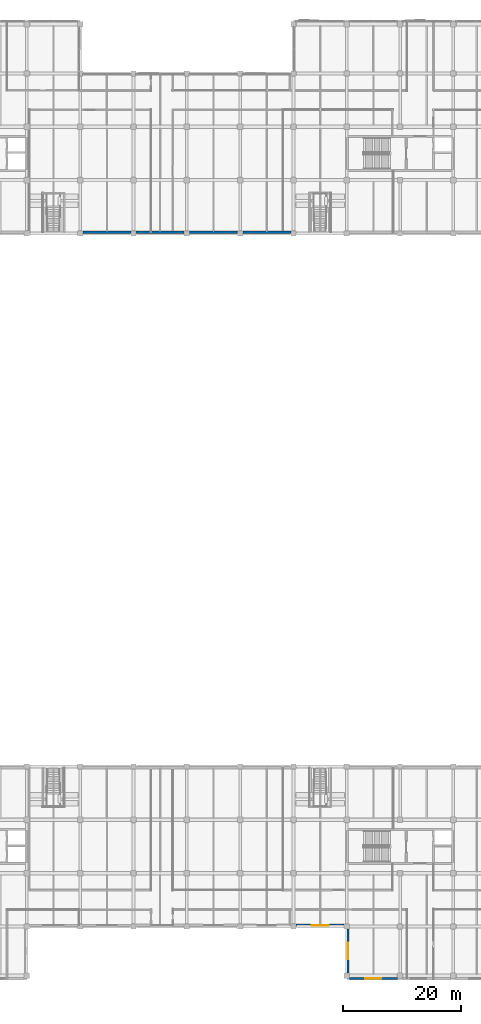
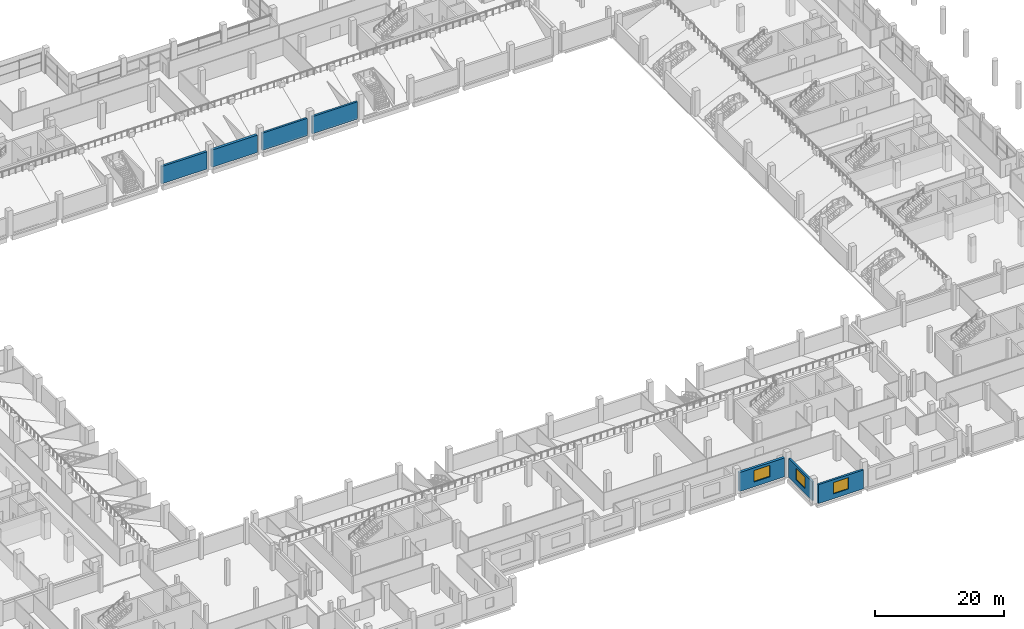
# One storey, part 59 of 100: 7 walls, 3 windows, 3 openings.
"""IFC4 building model written with IfcOpenShell, lengths in metres."""

from ifc_helpers import new_model, si_unit, direction, frame, frame_2d, origin, place, context, subcontext, project, spatial, rectangle, extrude, material, layer, layer_set, type_object, element, fill, save


model = new_model("IFC4")

# Units and contexts
model_context = context("Model", 3, precision=1e-05, world=origin(), true_north=direction((0.0, 1.0)))
body_context = subcontext(model_context, "Body", "Model", "MODEL_VIEW")
ifc_project = project(units=[si_unit("LENGTHUNIT", "METRE"), si_unit("AREAUNIT", "SQUARE_METRE"), si_unit("VOLUMEUNIT", "CUBIC_METRE"), si_unit("PLANEANGLEUNIT", "RADIAN"), si_unit("MASSUNIT", "GRAM", prefix="KILO"), si_unit("THERMODYNAMICTEMPERATUREUNIT", "KELVIN"), si_unit("POWERUNIT", "WATT")], contexts=[model_context])

# Site, building, storey
site_placement = place(None, origin())
site = spatial("IfcSite", under=ifc_project, at=site_placement, CompositionType="ELEMENT")
building_placement = place(site_placement, origin())
building = spatial("IfcBuilding", under=site, at=building_placement, Name="Sindhuravela Promenade Stadium", CompositionType="ELEMENT")
storey_placement = place(building_placement, frame((0.0, 0.0, 4.800048828125)))
storey = spatial("IfcBuildingStorey", under=building, at=storey_placement, Name="L01", CompositionType="ELEMENT", Elevation=4.800048828125)

# Wall
ifc_material_1 = material(Name="Terracotta clay brick masonry (15 MPa)", Category="masonry")
ifc_layer_1 = layer(ifc_material_1, 0.340087890625)
ifc_layer_set_1 = layer_set([ifc_layer_1], Name="Terracotta clay brick masonry (15 MPa)")
wall_type_1 = type_object("IfcWallType", Name="EX-WL-BRK340", PredefinedType="SOLIDWALL", material=ifc_layer_set_1)
wall_1_placement = place(storey_placement, frame((116.544921875, 126.199951171875, 0.0), z_axis=(0.0, 0.0, 1.0), x_axis=(-1.0, 0.0, 0.0)))
element("IfcWall", 1, at=wall_1_placement, inside=storey, type_object=wall_type_1, Name="Exterior masonry wall EW06 NORTH L01", PredefinedType="SOLIDWALL", context=body_context, shape_type="SweptSolid", body=[
    extrude(rectangle(XDim=8.08984375, YDim=0.340087890625, at=frame_2d((4.044921875, 0.0))), origin(), (0.0, 0.0, 1.0), 3.280029296875),
])

# Wall, opening, window
wall_2_placement = place(storey_placement, frame((135.199951171875, 1.155029296875, 0.0), z_axis=(0.0, 0.0, 1.0), x_axis=(0.0, 1.0, 0.0)))
wall_2 = element("IfcWall", 2, at=wall_2_placement, inside=storey, type_object=wall_type_1, Name="Exterior masonry wall EW06 SOUTH L01", PredefinedType="SOLIDWALL", context=body_context, shape_type="SweptSolid", body=[
    extrude(rectangle(XDim=7.389892578125, YDim=0.340087890625, at=frame_2d((3.69482421875, 0.0))), origin(), (0.0, 0.0, 1.0), 3.579833984375),
])
opening_1_placement = place(wall_2_placement, frame((2.294921875, 0.0, 0.89990234375)))
opening_1 = element("IfcOpeningElement", 3, at=opening_1_placement, cuts=wall_2, Name="Opening W18", PredefinedType="OPENING", context=body_context, shape_type="SweptSolid", body=[
    extrude(rectangle(XDim=2.800048828125, YDim=2.199951171875, at=frame_2d((1.39990234375, 1.10009765625))), frame((0.0, 0.179931640625, 0.0), z_axis=(0.0, -1.0, 0.0), x_axis=(1.0, 0.0, 0.0)), (0.0, 0.0, 1.0), 0.360107421875),
])
ifc_material_2 = material(Name="Tempered laminated low-E glass", Category="glass")
window_type_1 = type_object("IfcWindowType", Name="WN-FAC-2800x2200", PartitioningType="DOUBLE_PANEL_VERTICAL", PredefinedType="WINDOW", material=ifc_material_2)
window_1_placement = place(opening_1_placement, origin())
window_1 = element("IfcWindow", 4, at=window_1_placement, inside=storey, type_object=window_type_1, Name="Window W18 SOUTH L01", OverallHeight=2.199951171875, OverallWidth=2.800048828125, PartitioningType="DOUBLE_PANEL_VERTICAL", PredefinedType="WINDOW", context=body_context, shape_type="SweptSolid", body=[
    extrude(rectangle(XDim=2.800048828125, YDim=2.199951171875, at=frame_2d((1.39990234375, 1.10009765625))), frame((0.0, 0.030029296875, 0.0), z_axis=(0.0, -1.0, 0.0), x_axis=(1.0, 0.0, 0.0)), (0.0, 0.0, 1.0), 0.06005859375),
])
fill(opening_1, window_1)

# Wall
ifc_layer_2 = layer(ifc_material_1, 0.360107421875)
ifc_layer_set_2 = layer_set([ifc_layer_2], Name="Terracotta clay brick masonry (15 MPa)")
wall_type_2 = type_object("IfcWallType", Name="EX-WL-BRK360", PredefinedType="SOLIDWALL", material=ifc_layer_set_2)
wall_3_placement = place(storey_placement, frame((125.544921875, 126.199951171875, 0.0), z_axis=(0.0, 0.0, 1.0), x_axis=(-1.0, 0.0, 0.0)))
element("IfcWall", 5, at=wall_3_placement, inside=storey, type_object=wall_type_2, Name="Exterior masonry wall EW05 NORTH L01", PredefinedType="SOLIDWALL", context=body_context, shape_type="SweptSolid", body=[
    extrude(rectangle(XDim=8.08984375, YDim=0.360107421875, at=frame_2d((4.044921875, 0.0))), origin(), (0.0, 0.0, 1.0), 3.280029296875),
])

# Wall, opening, window
wall_4_placement = place(storey_placement, frame((143.544921875, 0.199951171875, 0.0), z_axis=(0.0, 0.0, 1.0), x_axis=(-1.0, 0.0, 0.0)))
wall_4 = element("IfcWall", 6, at=wall_4_placement, inside=storey, type_object=wall_type_2, Name="Exterior masonry wall EW05 SOUTH L01", PredefinedType="SOLIDWALL", context=body_context, shape_type="SweptSolid", body=[
    extrude(rectangle(XDim=8.08984375, YDim=0.360107421875, at=frame_2d((4.044921875, 0.0))), origin(), (0.0, 0.0, 1.0), 3.579833984375),
])
opening_2_placement = place(wall_4_placement, frame((2.695068359375, 0.0, 0.89990234375)))
opening_2 = element("IfcOpeningElement", 7, at=opening_2_placement, cuts=wall_4, Name="Opening W17", PredefinedType="OPENING", context=body_context, shape_type="SweptSolid", body=[
    extrude(rectangle(XDim=2.699951171875, YDim=2.14990234375, at=frame_2d((1.35009765625, 1.074951171875))), frame((0.0, 0.18994140625, 0.0), z_axis=(0.0, -1.0, 0.0), x_axis=(1.0, 0.0, 0.0)), (0.0, 0.0, 1.0), 0.380126953125),
])
window_type_2 = type_object("IfcWindowType", Name="WN-FAC-2700x2150", PartitioningType="DOUBLE_PANEL_VERTICAL", PredefinedType="WINDOW", material=ifc_material_2)
window_2_placement = place(opening_2_placement, origin())
window_2 = element("IfcWindow", 8, at=window_2_placement, inside=storey, type_object=window_type_2, Name="Window W17 SOUTH L01", OverallHeight=2.14990234375, OverallWidth=2.699951171875, PartitioningType="DOUBLE_PANEL_VERTICAL", PredefinedType="WINDOW", context=body_context, shape_type="SweptSolid", body=[
    extrude(rectangle(XDim=2.699951171875, YDim=2.14990234375, at=frame_2d((1.35009765625, 1.074951171875))), frame((0.0, 0.030029296875, 0.0), z_axis=(0.0, -1.0, 0.0), x_axis=(1.0, 0.0, 0.0)), (0.0, 0.0, 1.0), 0.06005859375),
])
fill(opening_2, window_2)

# Walls
ifc_layer_3 = layer(ifc_material_1, 0.419921875)
ifc_layer_set_3 = layer_set([ifc_layer_3], Name="Terracotta clay brick masonry (15 MPa)")
wall_type_3 = type_object("IfcWallType", Name="EX-WL-BRK420", PredefinedType="SOLIDWALL", material=ifc_layer_set_3)
wall_5_placement = place(storey_placement, frame((98.544921875, 126.199951171875, 0.0), z_axis=(0.0, 0.0, 1.0), x_axis=(-1.0, 0.0, 0.0)))
element("IfcWall", 9, at=wall_5_placement, inside=storey, type_object=wall_type_3, Name="Exterior masonry wall EW02 NORTH L01", PredefinedType="SOLIDWALL", context=body_context, shape_type="SweptSolid", body=[
    extrude(rectangle(XDim=8.08984375, YDim=0.419921875, at=frame_2d((4.044921875, 0.0))), origin(), (0.0, 0.0, 1.0), 3.280029296875),
])
ifc_layer_4 = layer(ifc_material_1, 0.4599609375)
ifc_layer_set_4 = layer_set([ifc_layer_4], Name="Terracotta clay brick masonry (15 MPa)")
wall_type_4 = type_object("IfcWallType", Name="EX-WL-BRK460", PredefinedType="SOLIDWALL", material=ifc_layer_set_4)
wall_6_placement = place(storey_placement, frame((107.544921875, 126.199951171875, 0.0), z_axis=(0.0, 0.0, 1.0), x_axis=(-1.0, 0.0, 0.0)))
element("IfcWall", 10, at=wall_6_placement, inside=storey, type_object=wall_type_4, Name="Exterior masonry wall EW01 NORTH L01", PredefinedType="SOLIDWALL", context=body_context, shape_type="SweptSolid", body=[
    extrude(rectangle(XDim=8.08984375, YDim=0.4599609375, at=frame_2d((4.044921875, 0.0))), origin(), (0.0, 0.0, 1.0), 3.280029296875),
])

# Wall, opening, window
wall_7_placement = place(storey_placement, frame((134.544921875, 9.199951171875, 0.0), z_axis=(0.0, 0.0, 1.0), x_axis=(-1.0, 0.0, 0.0)))
wall_7 = element("IfcWall", 11, at=wall_7_placement, inside=storey, type_object=wall_type_4, Name="Exterior masonry wall EW01 SOUTH L01", PredefinedType="SOLIDWALL", context=body_context, shape_type="SweptSolid", body=[
    extrude(rectangle(XDim=8.08984375, YDim=0.4599609375, at=frame_2d((4.044921875, 0.0))), origin(), (0.0, 0.0, 1.0), 3.579833984375),
])
opening_3_placement = place(wall_7_placement, frame((2.594970703125, 0.0, 0.89990234375)))
opening_3 = element("IfcOpeningElement", 12, at=opening_3_placement, cuts=wall_7, Name="Opening W19", PredefinedType="OPENING", context=body_context, shape_type="SweptSolid", body=[
    extrude(rectangle(XDim=2.89990234375, YDim=2.199951171875, at=frame_2d((1.449951171875, 1.10009765625))), frame((0.0, 0.239990234375, 0.0), z_axis=(0.0, -1.0, 0.0), x_axis=(1.0, 0.0, 0.0)), (0.0, 0.0, 1.0), 0.47998046875),
])
window_type_3 = type_object("IfcWindowType", Name="WN-FAC-2900x2200", PartitioningType="DOUBLE_PANEL_VERTICAL", PredefinedType="WINDOW", material=ifc_material_2)
window_3_placement = place(opening_3_placement, origin())
window_3 = element("IfcWindow", 13, at=window_3_placement, inside=storey, type_object=window_type_3, Name="Window W19 SOUTH L01", OverallHeight=2.199951171875, OverallWidth=2.89990234375, PartitioningType="DOUBLE_PANEL_VERTICAL", PredefinedType="WINDOW", context=body_context, shape_type="SweptSolid", body=[
    extrude(rectangle(XDim=2.89990234375, YDim=2.199951171875, at=frame_2d((1.449951171875, 1.10009765625))), frame((0.0, 0.030029296875, 0.0), z_axis=(0.0, -1.0, 0.0), x_axis=(1.0, 0.0, 0.0)), (0.0, 0.0, 1.0), 0.06005859375),
])
fill(opening_3, window_3)

save(model, "model.ifc")
